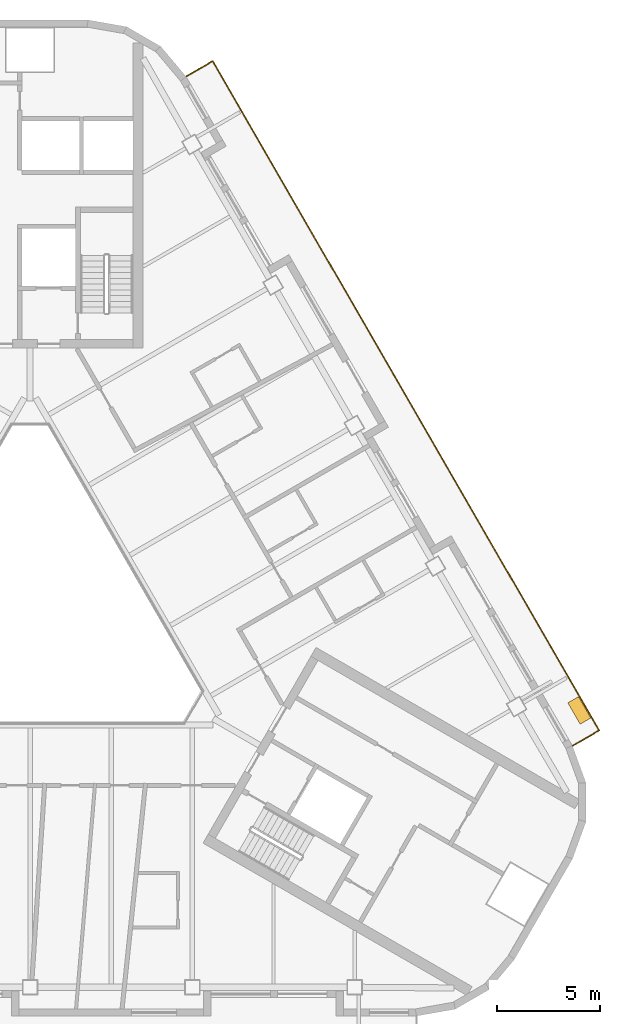
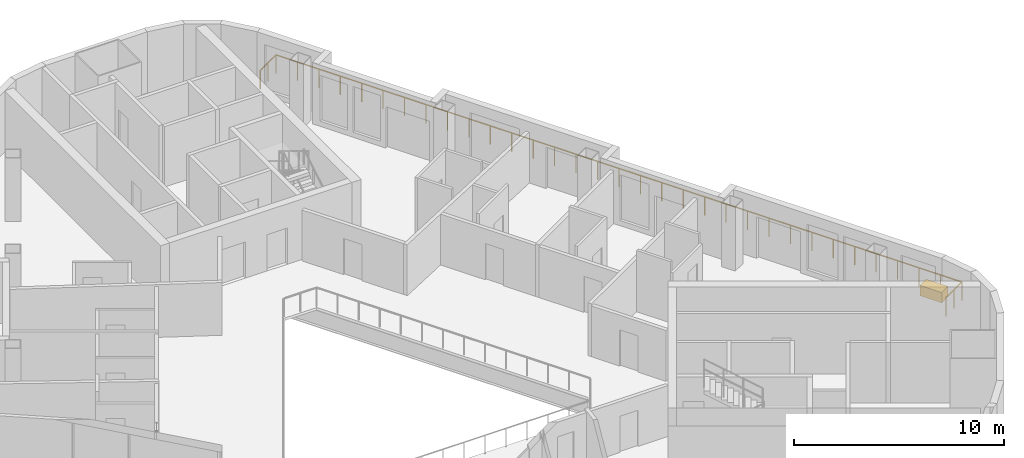
# One storey, part 13 of 14: 1 covering, 1 railing.
"""IFC4 building model written with IfcOpenShell, lengths in metres."""

from ifc_helpers import new_model, si_unit, direction, frame, origin, origin_2d, place, context, subcontext, project, spatial, rectangle, extrude, material, type_object, element, save


model = new_model("IFC4")

# Units and contexts
model_context = context("Model", 3, precision=1e-05, world=origin(), true_north=direction((0.0, 1.0)))
body_context = subcontext(model_context, "Body", "Model", "MODEL_VIEW")
ifc_project = project(units=[si_unit("LENGTHUNIT", "METRE"), si_unit("AREAUNIT", "SQUARE_METRE"), si_unit("VOLUMEUNIT", "CUBIC_METRE"), si_unit("PLANEANGLEUNIT", "RADIAN"), si_unit("MASSUNIT", "GRAM", prefix="KILO")], contexts=[model_context])

# Site, building, storey
site_placement = place(None, origin())
site = spatial("IfcSite", under=ifc_project, at=site_placement, CompositionType="ELEMENT")
building_placement = place(site_placement, origin())
building = spatial("IfcBuilding", under=site, at=building_placement, Name="Apuvela Tower Hotel", CompositionType="ELEMENT")
storey_placement = place(building_placement, frame((0.0, 0.0, 205.800048828125)))
storey = spatial("IfcBuildingStorey", under=building, at=storey_placement, Name="L50", CompositionType="ELEMENT", Elevation=205.800048828125)

# Railing
ifc_material_1 = material(Name="Stainless steel 316 rail with laminated glass infill", Category="steel")
railing_type = type_object("IfcRailingType", Name="ENV-GUARD-1100", PredefinedType="GUARDRAIL", material=ifc_material_1)
railing_placement = place(storey_placement, frame((26.407958984375, -6.47998046875, 0.0)))
element("IfcRailing", 1, at=railing_placement, inside=storey, type_object=railing_type, Name="Balcony guard NE L50", PredefinedType="GUARDRAIL", context=body_context, shape_type="SweptSolid", body=[
    extrude(rectangle(XDim=0.050048828125, YDim=0.050048828125, at=origin_2d()), frame((0.0, 0.0, 1.0751953125), z_axis=(0.866031096941, 0.499990139034, 0.0), x_axis=(-0.499990139034, 0.866031096941, 0.0)), (0.0, 0.0, 1.0), 1.5),
    extrude(rectangle(XDim=0.050048828125, YDim=0.050048828125, at=origin_2d()), frame((1.299072265625, 0.75, 1.0751953125), z_axis=(-0.500000437506, 0.86602515119, 0.0), x_axis=(-0.86602515119, -0.500000437506, 0.0)), (0.0, 0.0, 1.0), 37.6318359375),
    extrude(rectangle(XDim=0.050048828125, YDim=0.050048828125, at=origin_2d()), frame((-17.516845703125, 33.340087890625, 1.0751953125), z_axis=(-0.86599040064, -0.500060622324, 0.0), x_axis=(0.500060622324, -0.86599040064, 0.0)), (0.0, 0.0, 1.0), 1.499755859375),
    extrude(rectangle(XDim=0.0400390625, YDim=0.0400390625, at=origin_2d()), origin(), (0.0, 0.0, 1.0), 1.050048828125),
    extrude(rectangle(XDim=0.0400390625, YDim=0.0400390625, at=origin_2d()), frame((0.6494140625, 0.375, 0.0)), (0.0, 0.0, 1.0), 1.050048828125),
    extrude(rectangle(XDim=0.0400390625, YDim=0.0400390625, at=origin_2d()), frame((1.299072265625, 0.75, 0.0)), (0.0, 0.0, 1.0), 1.050048828125),
    extrude(rectangle(XDim=0.0400390625, YDim=0.0400390625, at=origin_2d()), frame((0.711181640625, 1.7685546875, 0.0)), (0.0, 0.0, 1.0), 1.050048828125),
    extrude(rectangle(XDim=0.0400390625, YDim=0.0400390625, at=origin_2d()), frame((0.123046875, 2.786865234375, 0.0)), (0.0, 0.0, 1.0), 1.050048828125),
    extrude(rectangle(XDim=0.0400390625, YDim=0.0400390625, at=origin_2d()), frame((-0.46484375, 3.805419921875, 0.0)), (0.0, 0.0, 1.0), 1.050048828125),
    extrude(rectangle(XDim=0.0400390625, YDim=0.0400390625, at=origin_2d()), frame((-1.052978515625, 4.82373046875, 0.0)), (0.0, 0.0, 1.0), 1.050048828125),
    extrude(rectangle(XDim=0.0400390625, YDim=0.0400390625, at=origin_2d()), frame((-1.640869140625, 5.84228515625, 0.0)), (0.0, 0.0, 1.0), 1.050048828125),
    extrude(rectangle(XDim=0.0400390625, YDim=0.0400390625, at=origin_2d()), frame((-2.22900390625, 6.860595703125, 0.0)), (0.0, 0.0, 1.0), 1.050048828125),
    extrude(rectangle(XDim=0.0400390625, YDim=0.0400390625, at=origin_2d()), frame((-2.81689453125, 7.879150390625, 0.0)), (0.0, 0.0, 1.0), 1.050048828125),
    extrude(rectangle(XDim=0.0400390625, YDim=0.0400390625, at=origin_2d()), frame((-3.40478515625, 8.8974609375, 0.0)), (0.0, 0.0, 1.0), 1.050048828125),
    extrude(rectangle(XDim=0.0400390625, YDim=0.0400390625, at=origin_2d()), frame((-3.992919921875, 9.916015625, 0.0)), (0.0, 0.0, 1.0), 1.050048828125),
    extrude(rectangle(XDim=0.0400390625, YDim=0.0400390625, at=origin_2d()), frame((-4.580810546875, 10.934326171875, 0.0)), (0.0, 0.0, 1.0), 1.050048828125),
    extrude(rectangle(XDim=0.0400390625, YDim=0.0400390625, at=origin_2d()), frame((-5.1689453125, 11.952880859375, 0.0)), (0.0, 0.0, 1.0), 1.050048828125),
    extrude(rectangle(XDim=0.0400390625, YDim=0.0400390625, at=origin_2d()), frame((-5.7568359375, 12.97119140625, 0.0)), (0.0, 0.0, 1.0), 1.050048828125),
    extrude(rectangle(XDim=0.0400390625, YDim=0.0400390625, at=origin_2d()), frame((-6.344970703125, 13.98974609375, 0.0)), (0.0, 0.0, 1.0), 1.050048828125),
    extrude(rectangle(XDim=0.0400390625, YDim=0.0400390625, at=origin_2d()), frame((-6.932861328125, 15.008056640625, 0.0)), (0.0, 0.0, 1.0), 1.050048828125),
    extrude(rectangle(XDim=0.0400390625, YDim=0.0400390625, at=origin_2d()), frame((-7.52099609375, 16.026611328125, 0.0)), (0.0, 0.0, 1.0), 1.050048828125),
    extrude(rectangle(XDim=0.0400390625, YDim=0.0400390625, at=origin_2d()), frame((-8.10888671875, 17.044921875, 0.0)), (0.0, 0.0, 1.0), 1.050048828125),
    extrude(rectangle(XDim=0.0400390625, YDim=0.0400390625, at=origin_2d()), frame((-8.69677734375, 18.0634765625, 0.0)), (0.0, 0.0, 1.0), 1.050048828125),
    extrude(rectangle(XDim=0.0400390625, YDim=0.0400390625, at=origin_2d()), frame((-9.284912109375, 19.08203125, 0.0)), (0.0, 0.0, 1.0), 1.050048828125),
    extrude(rectangle(XDim=0.0400390625, YDim=0.0400390625, at=origin_2d()), frame((-9.872802734375, 20.100341796875, 0.0)), (0.0, 0.0, 1.0), 1.050048828125),
    extrude(rectangle(XDim=0.0400390625, YDim=0.0400390625, at=origin_2d()), frame((-10.4609375, 21.118896484375, 0.0)), (0.0, 0.0, 1.0), 1.050048828125),
    extrude(rectangle(XDim=0.0400390625, YDim=0.0400390625, at=origin_2d()), frame((-11.048828125, 22.13720703125, 0.0)), (0.0, 0.0, 1.0), 1.050048828125),
    extrude(rectangle(XDim=0.0400390625, YDim=0.0400390625, at=origin_2d()), frame((-11.636962890625, 23.15576171875, 0.0)), (0.0, 0.0, 1.0), 1.050048828125),
    extrude(rectangle(XDim=0.0400390625, YDim=0.0400390625, at=origin_2d()), frame((-12.224853515625, 24.174072265625, 0.0)), (0.0, 0.0, 1.0), 1.050048828125),
    extrude(rectangle(XDim=0.0400390625, YDim=0.0400390625, at=origin_2d()), frame((-12.81298828125, 25.192626953125, 0.0)), (0.0, 0.0, 1.0), 1.050048828125),
    extrude(rectangle(XDim=0.0400390625, YDim=0.0400390625, at=origin_2d()), frame((-13.40087890625, 26.2109375, 0.0)), (0.0, 0.0, 1.0), 1.050048828125),
    extrude(rectangle(XDim=0.0400390625, YDim=0.0400390625, at=origin_2d()), frame((-13.98876953125, 27.2294921875, 0.0)), (0.0, 0.0, 1.0), 1.050048828125),
    extrude(rectangle(XDim=0.0400390625, YDim=0.0400390625, at=origin_2d()), frame((-14.576904296875, 28.247802734375, 0.0)), (0.0, 0.0, 1.0), 1.050048828125),
    extrude(rectangle(XDim=0.0400390625, YDim=0.0400390625, at=origin_2d()), frame((-15.164794921875, 29.266357421875, 0.0)), (0.0, 0.0, 1.0), 1.050048828125),
    extrude(rectangle(XDim=0.0400390625, YDim=0.0400390625, at=origin_2d()), frame((-15.7529296875, 30.28466796875, 0.0)), (0.0, 0.0, 1.0), 1.050048828125),
    extrude(rectangle(XDim=0.0400390625, YDim=0.0400390625, at=origin_2d()), frame((-16.3408203125, 31.30322265625, 0.0)), (0.0, 0.0, 1.0), 1.050048828125),
    extrude(rectangle(XDim=0.0400390625, YDim=0.0400390625, at=origin_2d()), frame((-16.928955078125, 32.321533203125, 0.0)), (0.0, 0.0, 1.0), 1.050048828125),
    extrude(rectangle(XDim=0.0400390625, YDim=0.0400390625, at=origin_2d()), frame((-17.516845703125, 33.340087890625, 0.0)), (0.0, 0.0, 1.0), 1.050048828125),
    extrude(rectangle(XDim=0.0400390625, YDim=0.0400390625, at=origin_2d()), frame((-18.166259765625, 32.965087890625, 0.0)), (0.0, 0.0, 1.0), 1.050048828125),
    extrude(rectangle(XDim=0.0400390625, YDim=0.0400390625, at=origin_2d()), frame((-18.815673828125, 32.590087890625, 0.0)), (0.0, 0.0, 1.0), 1.050048828125),
])

# Covering
ifc_material_2 = material(Name="Planting substrate and soil, planted")
covering_type = type_object("IfcCoveringType", Name="ENV-PLANTER-1200x600", PredefinedType="USERDEFINED", material=ifc_material_2)
covering_placement = place(storey_placement, frame((26.739013671875, -4.753173828125, 0.0), z_axis=(0.0, 0.0, 1.0), x_axis=(-0.5, 0.866025403784, 0.0)))
element("IfcCovering", 2, at=covering_placement, inside=storey, type_object=covering_type, Name="Planter NE3", ObjectType="PLANTER", PredefinedType="USERDEFINED", context=body_context, shape_type="SweptSolid", body=[
    extrude(rectangle(XDim=1.199951171875, YDim=0.60009765625, at=origin_2d()), origin(), (0.0, 0.0, 1.0), 0.60009765625),
])

save(model, "model.ifc")
